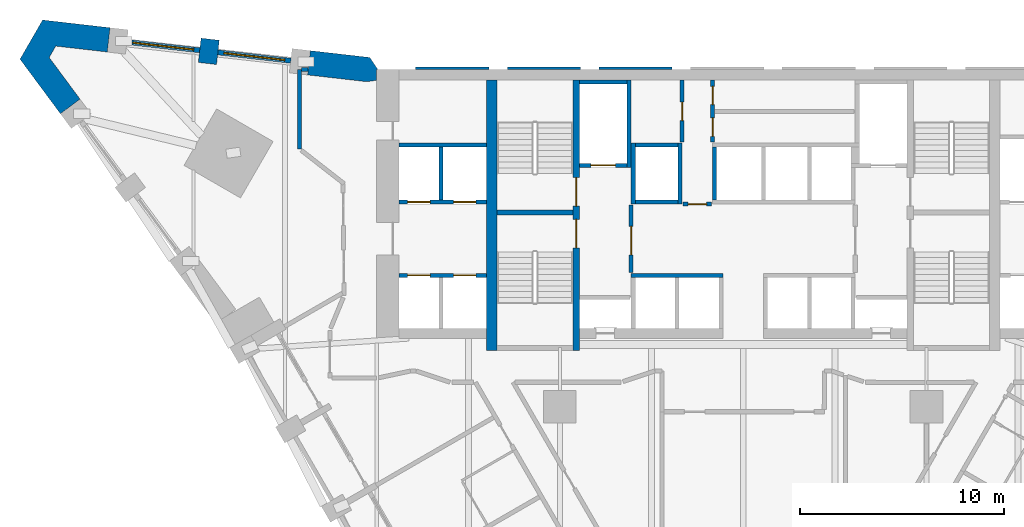
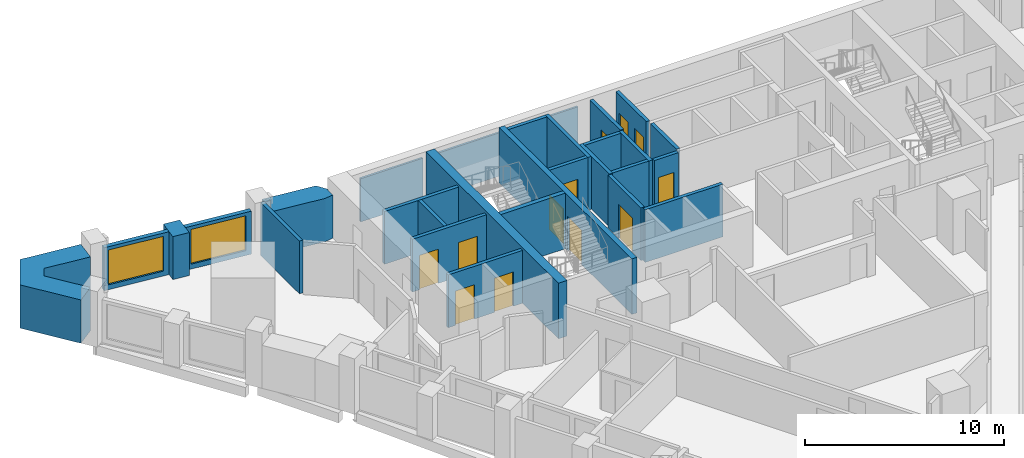
# One storey, part 6 of 10: 30 walls, 12 doors, 2 windows, 14 openings.
"""IFC4 building model written with IfcOpenShell, lengths in metres."""

from ifc_helpers import new_model, si_unit, direction, frame, frame_2d, origin, place, context, subcontext, project, spatial, polyline, rectangle, outline, extrude, material, layer, layer_set, type_object, element, fill, save


model = new_model("IFC4")

# Units and contexts
model_context = context("Model", 3, precision=1e-05, world=origin(), true_north=direction((0.0, 1.0)))
body_context = subcontext(model_context, "Body", "Model", "MODEL_VIEW")
ifc_project = project(units=[si_unit("LENGTHUNIT", "METRE"), si_unit("AREAUNIT", "SQUARE_METRE"), si_unit("VOLUMEUNIT", "CUBIC_METRE"), si_unit("PLANEANGLEUNIT", "RADIAN"), si_unit("MASSUNIT", "GRAM", prefix="KILO")], contexts=[model_context])

# Site, building, storey
site_placement = place(None, origin())
site = spatial("IfcSite", under=ifc_project, at=site_placement, CompositionType="ELEMENT")
building_placement = place(site_placement, origin())
building = spatial("IfcBuilding", under=site, at=building_placement, Name="Calabash Gate Tower", CompositionType="ELEMENT")
storey_placement = place(building_placement, frame((0.0, 0.0, 63.0)))
storey = spatial("IfcBuildingStorey", under=building, at=storey_placement, Name="L11", CompositionType="ELEMENT", Elevation=63.0)

# Walls
ifc_material_1 = material(Name="Terracotta brick masonry, exposed face", Category="masonry")
ifc_layer_1 = layer(ifc_material_1, 1.199951171875)
ifc_layer_set_1 = layer_set([ifc_layer_1], Name="Brick end wall 1200")
wall_type_1 = type_object("IfcWallType", Name="Brick end wall 1200", PredefinedType="SOLIDWALL", material=ifc_layer_set_1)
wall_1_placement = place(storey_placement, frame((-26.173095703125, 20.546142578125, 0.0), z_axis=(0.0, 0.0, 1.0), x_axis=(-0.113735952551, -0.993511013073, 0.0)))
element("IfcWall", 1, at=wall_1_placement, inside=storey, type_object=wall_type_1, Name="Brick pier S02 wedge5.1", PredefinedType="SOLIDWALL", context=body_context, shape_type="SweptSolid", body=[
    extrude(rectangle(XDim=1.199951171875, YDim=0.89990234375, at=frame_2d((0.60009765625, 0.0))), origin(), (0.0, 0.0, 1.0), 2.6298828125),
])
wall_2_placement = place(storey_placement, origin())
element("IfcWall", 2, at=wall_2_placement, inside=storey, type_object=wall_type_1, Name="Brick end wall S02 1", PredefinedType="SOLIDWALL", context=body_context, shape_type="SweptSolid", body=[
    extrude(outline(polyline([(-21.255126953125, 19.983154296875), (-21.39111328125, 18.790771484375), (-18.4716796875, 18.45654296875), (-18.0, 18.53173828125), (-18.0, 19.052490234375), (-17.9404296875, 19.052490234375), (-18.335205078125, 19.648681640625), (-21.255126953125, 19.983154296875)])), origin(), (0.0, 0.0, 1.0), 2.64990234375),
])
wall_3_placement = place(storey_placement, origin())
element("IfcWall", 3, at=wall_3_placement, inside=storey, type_object=wall_type_1, Name="Brick end wall S02 2", PredefinedType="SOLIDWALL", context=body_context, shape_type="SweptSolid", body=[
    extrude(outline(polyline([(-33.75634765625, 20.206787109375), (-31.227294921875, 19.917236328125), (-31.0908203125, 21.109375), (-34.40185546875, 21.48876953125), (-35.512451171875, 19.5654296875), (-33.5283203125, 16.887451171875), (-32.564208984375, 17.601806640625), (-34.07958984375, 19.647216796875), (-33.75634765625, 20.206787109375)])), origin(), (0.0, 0.0, 1.0), 2.64990234375),
])
ifc_material_2 = material(Name="Concrete C80/95", Category="concrete")
ifc_layer_2 = layer(ifc_material_2, 0.25)
ifc_layer_set_2 = layer_set([ifc_layer_2], Name="Core wall 250 Concrete C80/95")
wall_type_2 = type_object("IfcWallType", Name="Core wall 250 Concrete C80/95", PredefinedType="SHEAR", material=ifc_layer_set_2)
wall_4_placement = place(storey_placement, frame((-12.10009765625, 12.027587890625, 0.0), z_axis=(0.0, 0.0, 1.0), x_axis=(1.0, 0.0, 0.0)))
element("IfcWall", 4, at=wall_4_placement, inside=storey, type_object=wall_type_2, Name="Core wall Z1-MIDW L11", PredefinedType="SHEAR", context=body_context, shape_type="SweptSolid", body=[
    extrude(rectangle(XDim=3.75, YDim=0.25, at=frame_2d((1.875, 0.0))), origin(), (0.0, 0.0, 1.0), 3.39990234375),
])

# Wall, openings, doors
ifc_material_3 = material(Name="Concrete C80/95", Category="concrete")
ifc_layer_3 = layer(ifc_material_3, 0.300048828125)
ifc_layer_set_3 = layer_set([ifc_layer_3], Name="Core wall 300 Concrete C80/95")
wall_type_3 = type_object("IfcWallType", Name="Core wall 300 Concrete C80/95", PredefinedType="SHEAR", material=ifc_layer_set_3)
wall_5_placement = place(storey_placement, frame((-8.199951171875, 5.252685546875, 0.0), z_axis=(0.0, 0.0, 1.0), x_axis=(0.0, 1.0, 0.0)))
wall_5 = element("IfcWall", 5, at=wall_5_placement, inside=storey, type_object=wall_type_3, Name="Core wall Z1-PARTW L11", PredefinedType="SHEAR", context=body_context, shape_type="SweptSolid", body=[
    extrude(rectangle(XDim=13.2998046875, YDim=0.300048828125, at=frame_2d((6.64990234375, 0.0))), origin(), (0.0, 0.0, 1.0), 3.39990234375),
])
opening_1_placement = place(wall_5_placement, frame((7.10009765625, 0.0, 0.0)))
opening_1 = element("IfcOpeningElement", 6, at=opening_1_placement, cuts=wall_5, Name="Opening H2-013", PredefinedType="OPENING", context=body_context, shape_type="SweptSolid", body=[
    extrude(rectangle(XDim=1.39990234375, YDim=2.10009765625, at=frame_2d((0.699951171875, 1.050048828125))), frame((0.0, 0.159912109375, 0.0), z_axis=(0.0, -1.0, 0.0), x_axis=(1.0, 0.0, 0.0)), (0.0, 0.0, 1.0), 0.320068359375),
])
opening_2_placement = place(wall_5_placement, frame((5.050048828125, 0.0, 0.0)))
opening_2 = element("IfcOpeningElement", 7, at=opening_2_placement, cuts=wall_5, Name="Opening H2-014", PredefinedType="OPENING", context=body_context, shape_type="SweptSolid", body=[
    extrude(rectangle(XDim=1.39990234375, YDim=2.10009765625, at=frame_2d((0.699951171875, 1.050048828125))), frame((0.0, 0.159912109375, 0.0), z_axis=(0.0, -1.0, 0.0), x_axis=(1.0, 0.0, 0.0)), (0.0, 0.0, 1.0), 0.320068359375),
])
ifc_material_4 = material(Name="Steel fire door set with fire-resisting glazing", Category="steel")
door_type_1 = type_object("IfcDoorType", Name="Fire door D05 1400x2100 FD90", OperationType="NOTDEFINED", PredefinedType="DOOR", material=ifc_material_4)
door_1_placement = place(opening_1_placement, origin())
door_1 = element("IfcDoor", 8, at=door_1_placement, inside=storey, type_object=door_type_1, Name="Exit stair door ST1", OperationType="SINGLE_SWING_LEFT", OverallHeight=2.10009765625, OverallWidth=1.39990234375, PredefinedType="DOOR", context=body_context, shape_type="SweptSolid", body=[
    extrude(rectangle(XDim=1.39990234375, YDim=2.10009765625, at=frame_2d((0.699951171875, 1.050048828125))), frame((0.0, 0.02490234375, 0.0), z_axis=(0.0, -1.0, 0.0), x_axis=(1.0, 0.0, 0.0)), (0.0, 0.0, 1.0), 0.050048828125),
])
fill(opening_1, door_1)
door_2_placement = place(opening_2_placement, origin())
door_2 = element("IfcDoor", 9, at=door_2_placement, inside=storey, type_object=door_type_1, Name="Exit stair door ST2", OperationType="SINGLE_SWING_LEFT", OverallHeight=2.10009765625, OverallWidth=1.39990234375, PredefinedType="DOOR", context=body_context, shape_type="SweptSolid", body=[
    extrude(rectangle(XDim=1.39990234375, YDim=2.10009765625, at=frame_2d((0.699951171875, 1.050048828125))), frame((0.0, 0.02490234375, 0.0), z_axis=(0.0, -1.0, 0.0), x_axis=(1.0, 0.0, 0.0)), (0.0, 0.0, 1.0), 0.050048828125),
])
fill(opening_2, door_2)

# Walls
ifc_material_5 = material(Name="Concrete C80/95", Category="concrete")
ifc_layer_4 = layer(ifc_material_5, 0.5)
ifc_layer_set_4 = layer_set([ifc_layer_4], Name="Core wall 500 Concrete C80/95")
wall_type_4 = type_object("IfcWallType", Name="Core wall 500 Concrete C80/95", PredefinedType="SHEAR", material=ifc_layer_set_4)
wall_6_placement = place(storey_placement, frame((-12.35009765625, 5.252685546875, 0.0), z_axis=(0.0, 0.0, 1.0), x_axis=(0.0, 1.0, 0.0)))
element("IfcWall", 10, at=wall_6_placement, inside=storey, type_object=wall_type_4, Name="Core wall Z1-COLW L11", PredefinedType="SHEAR", context=body_context, shape_type="SweptSolid", body=[
    extrude(rectangle(XDim=13.2998046875, YDim=0.5, at=frame_2d((6.64990234375, 0.0))), origin(), (0.0, 0.0, 1.0), 3.39990234375),
])
ifc_material_6 = material(Name="Gypsum board on steel studs, mineral wool", Category="steel")
ifc_layer_5 = layer(ifc_material_6, 0.199951171875)
ifc_layer_set_5 = layer_set([ifc_layer_5], Name="Partition 200 gypsum board EI 60")
wall_type_5 = type_object("IfcWallType", Name="Partition 200 gypsum board EI 60", PredefinedType="PARTITIONING", material=ifc_layer_set_5)
wall_7_placement = place(storey_placement, frame((-21.7822265625, 19.052490234375, 0.0), z_axis=(0.0, 0.0, 1.0), x_axis=(0.0, -1.0, 0.0)))
element("IfcWall", 11, at=wall_7_placement, inside=storey, type_object=wall_type_5, Name="Partition", PredefinedType="PARTITIONING", context=body_context, shape_type="SweptSolid", body=[
    extrude(rectangle(XDim=3.900146484375, YDim=0.199951171875, at=frame_2d((1.9501953125, 0.0))), origin(), (0.0, 0.0, 1.0), 3.22998046875),
])
wall_8_placement = place(storey_placement, frame((-21.682373046875, 19.052490234375, 0.0), z_axis=(0.0, 0.0, 1.0), x_axis=(0.999999710853, 0.000760456054, 0.0)))
element("IfcWall", 12, at=wall_8_placement, inside=storey, type_object=wall_type_5, Name="Partition", PredefinedType="PARTITIONING", context=body_context, shape_type="SweptSolid", body=[
    extrude(rectangle(XDim=0.321044921875, YDim=0.199951171875, at=frame_2d((0.16064453125, 0.0))), origin(), (0.0, 0.0, 1.0), 3.22998046875),
])

# Wall, opening, window
ifc_material_7 = material(Name="Aluminium framed window wall with insulated spandrel", Category="aluminium")
ifc_layer_6 = layer(ifc_material_7, 0.25)
ifc_layer_set_6 = layer_set([ifc_layer_6], Name="Prow window wall 250")
wall_type_6 = type_object("IfcWallType", Name="Prow window wall 250", PredefinedType="ELEMENTEDWALL", material=ifc_layer_set_6)
wall_9_placement = place(storey_placement, frame((-22.217529296875, 19.4892578125, 0.0), z_axis=(0.0, 0.0, 1.0), x_axis=(-0.993504225498, 0.113795228013, 0.0)))
wall_9 = element("IfcWall", 13, at=wall_9_placement, inside=storey, type_object=wall_type_6, Name="Prow window wall S02 wedge5.1", PredefinedType="ELEMENTEDWALL", context=body_context, shape_type="SweptSolid", body=[
    extrude(rectangle(XDim=3.60009765625, YDim=0.25, at=frame_2d((1.800048828125, 0.0))), origin(), (0.0, 0.0, 1.0), 2.6298828125),
])
opening_3_placement = place(wall_9_placement, frame((0.300048828125, 0.0, 0.300048828125)))
opening_3 = element("IfcOpeningElement", 14, at=opening_3_placement, cuts=wall_9, Name="Opening WP1L-2130", PredefinedType="OPENING", context=body_context, shape_type="SweptSolid", body=[
    extrude(rectangle(XDim=3.0, YDim=2.1298828125, at=frame_2d((1.5, 1.06494140625))), frame((0.0, 0.135009765625, 0.0), z_axis=(0.0, -1.0, 0.0), x_axis=(1.0, 0.0, 0.0)), (0.0, 0.0, 1.0), 0.27001953125),
])
ifc_material_8 = material(Name="Anodised aluminium frame, bronze finish, impact-rated laminated clear glazing", Category="aluminium")
window_type = type_object("IfcWindowType", Name="Window WP1L 3000x2130", PartitioningType="DOUBLE_PANEL_VERTICAL", PredefinedType="WINDOW", material=ifc_material_8)
window_1_placement = place(opening_3_placement, origin())
window_1 = element("IfcWindow", 15, at=window_1_placement, inside=storey, type_object=window_type, Name="Prow window WP1L S02 wedge5.1", OverallHeight=2.1298828125, OverallWidth=3.0, PartitioningType="SINGLE_PANEL", PredefinedType="WINDOW", context=body_context, shape_type="SweptSolid", body=[
    extrude(rectangle(XDim=3.0, YDim=2.1298828125, at=frame_2d((1.5, 1.06494140625))), frame((0.0, 0.030029296875, 0.0), z_axis=(0.0, -1.0, 0.0), x_axis=(1.0, 0.0, 0.0)), (0.0, 0.0, 1.0), 0.06005859375),
])
fill(opening_3, window_1)

wall_10_placement = place(storey_placement, frame((-26.686279296875, 20.001220703125, 0.0), z_axis=(0.0, 0.0, 1.0), x_axis=(-0.993509390647, 0.113750123938, 0.0)))
wall_10 = element("IfcWall", 16, at=wall_10_placement, inside=storey, type_object=wall_type_6, Name="Prow window wall S02 wedge5.2", PredefinedType="ELEMENTEDWALL", context=body_context, shape_type="SweptSolid", body=[
    extrude(rectangle(XDim=3.552001953125, YDim=0.25, at=frame_2d((1.77587890625, 0.0))), origin(), (0.0, 0.0, 1.0), 2.6298828125),
])
opening_4_placement = place(wall_10_placement, frame((0.302001953125, 0.0, 0.300048828125)))
opening_4 = element("IfcOpeningElement", 17, at=opening_4_placement, cuts=wall_10, Name="Opening WP1L-2130", PredefinedType="OPENING", context=body_context, shape_type="SweptSolid", body=[
    extrude(rectangle(XDim=3.0, YDim=2.1298828125, at=frame_2d((1.5, 1.06494140625))), frame((0.0, 0.135009765625, 0.0), z_axis=(0.0, -1.0, 0.0), x_axis=(1.0, 0.0, 0.0)), (0.0, 0.0, 1.0), 0.27001953125),
])
window_2_placement = place(opening_4_placement, origin())
window_2 = element("IfcWindow", 18, at=window_2_placement, inside=storey, type_object=window_type, Name="Prow window WP1L S02 wedge5.2", OverallHeight=2.1298828125, OverallWidth=3.0, PartitioningType="SINGLE_PANEL", PredefinedType="WINDOW", context=body_context, shape_type="SweptSolid", body=[
    extrude(rectangle(XDim=3.0, YDim=2.1298828125, at=frame_2d((1.5, 1.06494140625))), frame((0.0, 0.030029296875, 0.0), z_axis=(0.0, -1.0, 0.0), x_axis=(1.0, 0.0, 0.0)), (0.0, 0.0, 1.0), 0.06005859375),
])
fill(opening_4, window_2)

# Wall, openings, doors
ifc_material_9 = material(Name="Concrete C40/50", Category="concrete")
ifc_layer_7 = layer(ifc_material_9, 0.199951171875)
ifc_layer_set_7 = layer_set([ifc_layer_7], Name="Shaft wall 200 Concrete C40/50")
wall_type_7 = type_object("IfcWallType", Name="Shaft wall 200 Concrete C40/50", PredefinedType="SOLIDWALL", material=ifc_layer_set_7)
wall_11_placement = place(storey_placement, frame((-16.89990234375, 8.95263671875, 0.0), z_axis=(0.0, 0.0, 1.0), x_axis=(1.0, 0.0, 0.0)))
wall_11 = element("IfcWall", 19, at=wall_11_placement, inside=storey, type_object=wall_type_7, Name="Shaft wall", PredefinedType="SOLIDWALL", context=body_context, shape_type="SweptSolid", body=[
    extrude(rectangle(XDim=4.2998046875, YDim=0.199951171875, at=frame_2d((2.14990234375, 0.0))), origin(), (0.0, 0.0, 1.0), 3.22998046875),
])
opening_5_placement = place(wall_11_placement, frame((2.675048828125, 0.0, 0.0)))
opening_5 = element("IfcOpeningElement", 20, at=opening_5_placement, cuts=wall_11, Name="Opening LD-LR1", PredefinedType="OPENING", context=body_context, shape_type="SweptSolid", body=[
    extrude(rectangle(XDim=1.10009765625, YDim=2.10009765625, at=frame_2d((0.550048828125, 1.050048828125))), frame((0.0, 0.10986328125, 0.0), z_axis=(0.0, -1.0, 0.0), x_axis=(1.0, 0.0, 0.0)), (0.0, 0.0, 1.0), 0.219970703125),
])
opening_6_placement = place(wall_11_placement, frame((0.425048828125, 0.0, 0.0)))
opening_6 = element("IfcOpeningElement", 21, at=opening_6_placement, cuts=wall_11, Name="Opening LD-LR2", PredefinedType="OPENING", context=body_context, shape_type="SweptSolid", body=[
    extrude(rectangle(XDim=1.10009765625, YDim=2.10009765625, at=frame_2d((0.550048828125, 1.050048828125))), frame((0.0, 0.10986328125, 0.0), z_axis=(0.0, -1.0, 0.0), x_axis=(1.0, 0.0, 0.0)), (0.0, 0.0, 1.0), 0.219970703125),
])
ifc_material_10 = material(Name="Stainless steel sliding door leaves", Category="steel")
door_type_2 = type_object("IfcDoorType", Name="Lift landing door LS1 1100x2100 FD90", OperationType="DOUBLE_DOOR_SLIDING", PredefinedType="DOOR", material=ifc_material_10)
door_3_placement = place(opening_5_placement, origin())
door_3 = element("IfcDoor", 22, at=door_3_placement, inside=storey, type_object=door_type_2, Name="Lift landing door LR1", OperationType="DOUBLE_DOOR_SLIDING", OverallHeight=2.10009765625, OverallWidth=1.10009765625, PredefinedType="DOOR", context=body_context, shape_type="SweptSolid", body=[
    extrude(rectangle(XDim=1.10009765625, YDim=2.10009765625, at=frame_2d((0.550048828125, 1.050048828125))), frame((0.0, 0.02490234375, 0.0), z_axis=(0.0, -1.0, 0.0), x_axis=(1.0, 0.0, 0.0)), (0.0, 0.0, 1.0), 0.050048828125),
])
fill(opening_5, door_3)
door_4_placement = place(opening_6_placement, origin())
door_4 = element("IfcDoor", 23, at=door_4_placement, inside=storey, type_object=door_type_2, Name="Lift landing door LR2", OperationType="DOUBLE_DOOR_SLIDING", OverallHeight=2.10009765625, OverallWidth=1.10009765625, PredefinedType="DOOR", context=body_context, shape_type="SweptSolid", body=[
    extrude(rectangle(XDim=1.10009765625, YDim=2.10009765625, at=frame_2d((0.550048828125, 1.050048828125))), frame((0.0, 0.02490234375, 0.0), z_axis=(0.0, -1.0, 0.0), x_axis=(1.0, 0.0, 0.0)), (0.0, 0.0, 1.0), 0.050048828125),
])
fill(opening_6, door_4)

# Wall
wall_12_placement = place(storey_placement, frame((-5.5, 8.95263671875, 0.0), z_axis=(0.0, 0.0, 1.0), x_axis=(1.0, 0.0, 0.0)))
element("IfcWall", 24, at=wall_12_placement, inside=storey, type_object=wall_type_7, Name="Shaft wall", PredefinedType="SOLIDWALL", context=body_context, shape_type="SweptSolid", body=[
    extrude(rectangle(XDim=4.5, YDim=0.199951171875, at=frame_2d((2.25, 0.0))), origin(), (0.0, 0.0, 1.0), 3.22998046875),
])

# Wall, opening, door
wall_13_placement = place(storey_placement, frame((-5.5, 9.1025390625, 0.0), z_axis=(0.0, 0.0, 1.0), x_axis=(0.0, 1.0, 0.0)))
wall_13 = element("IfcWall", 25, at=wall_13_placement, inside=storey, type_object=wall_type_7, Name="Shaft wall", PredefinedType="SOLIDWALL", context=body_context, shape_type="SweptSolid", body=[
    extrude(rectangle(XDim=3.300048828125, YDim=0.199951171875, at=frame_2d((1.64990234375, 0.0))), origin(), (0.0, 0.0, 1.0), 3.22998046875),
])
opening_7_placement = place(wall_13_placement, frame((0.85009765625, 0.0, 0.0)))
opening_7 = element("IfcOpeningElement", 26, at=opening_7_placement, cuts=wall_13, Name="Opening H2-007", PredefinedType="OPENING", context=body_context, shape_type="SweptSolid", body=[
    extrude(rectangle(XDim=1.39990234375, YDim=2.10009765625, at=frame_2d((0.699951171875, 1.050048828125))), frame((0.0, 0.10986328125, 0.0), z_axis=(0.0, -1.0, 0.0), x_axis=(1.0, 0.0, 0.0)), (0.0, 0.0, 1.0), 0.219970703125),
])
door_5_placement = place(opening_7_placement, origin())
door_5 = element("IfcDoor", 27, at=door_5_placement, inside=storey, type_object=door_type_1, Name="Firefighting Lobby W door", OperationType="SINGLE_SWING_RIGHT", OverallHeight=2.10009765625, OverallWidth=1.39990234375, PredefinedType="DOOR", context=body_context, shape_type="SweptSolid", body=[
    extrude(rectangle(XDim=1.39990234375, YDim=2.10009765625, at=frame_2d((0.699951171875, 1.050048828125))), frame((0.0, 0.02490234375, 0.0), z_axis=(0.0, -1.0, 0.0), x_axis=(1.0, 0.0, 0.0)), (0.0, 0.0, 1.0), 0.050048828125),
])
fill(opening_7, door_5)

wall_14_placement = place(storey_placement, frame((-2.949951171875, 12.45263671875, 0.0), z_axis=(0.0, 0.0, 1.0), x_axis=(1.0, 0.0, 0.0)))
wall_14 = element("IfcWall", 28, at=wall_14_placement, inside=storey, type_object=wall_type_7, Name="Shaft wall", PredefinedType="SOLIDWALL", context=body_context, shape_type="SweptSolid", body=[
    extrude(rectangle(XDim=1.39990234375, YDim=0.199951171875, at=frame_2d((0.699951171875, 0.0))), origin(), (0.0, 0.0, 1.0), 3.22998046875),
])
opening_8_placement = place(wall_14_placement, frame((0.25, 0.0, 0.0)))
opening_8 = element("IfcOpeningElement", 29, at=opening_8_placement, cuts=wall_14, Name="Opening H2-005", PredefinedType="OPENING", context=body_context, shape_type="SweptSolid", body=[
    extrude(rectangle(XDim=0.89990234375, YDim=2.10009765625, at=frame_2d((0.449951171875, 1.050048828125))), frame((0.0, 0.10986328125, 0.0), z_axis=(0.0, -1.0, 0.0), x_axis=(1.0, 0.0, 0.0)), (0.0, 0.0, 1.0), 0.219970703125),
])
ifc_material_11 = material(Name="Steel fire door set with fire-resisting glazing", Category="steel")
door_type_3 = type_object("IfcDoorType", Name="Fire door D06 900x2100 FD60", OperationType="NOTDEFINED", PredefinedType="DOOR", material=ifc_material_11)
door_6_placement = place(opening_8_placement, origin())
door_6 = element("IfcDoor", 30, at=door_6_placement, inside=storey, type_object=door_type_3, Name="Service Corridor door", OperationType="SINGLE_SWING_RIGHT", OverallHeight=2.10009765625, OverallWidth=0.89990234375, PredefinedType="DOOR", context=body_context, shape_type="SweptSolid", body=[
    extrude(rectangle(XDim=0.89990234375, YDim=2.10009765625, at=frame_2d((0.449951171875, 1.050048828125))), frame((0.0, 0.02490234375, 0.0), z_axis=(0.0, -1.0, 0.0), x_axis=(1.0, 0.0, 0.0)), (0.0, 0.0, 1.0), 0.050048828125),
])
fill(opening_8, door_6)

# Wall, openings, doors
wall_15_placement = place(storey_placement, frame((-16.89990234375, 12.552490234375, 0.0), z_axis=(0.0, 0.0, 1.0), x_axis=(1.0, 0.0, 0.0)))
wall_15 = element("IfcWall", 31, at=wall_15_placement, inside=storey, type_object=wall_type_7, Name="Shaft wall", PredefinedType="SOLIDWALL", context=body_context, shape_type="SweptSolid", body=[
    extrude(rectangle(XDim=4.2998046875, YDim=0.199951171875, at=frame_2d((2.14990234375, 0.0))), origin(), (0.0, 0.0, 1.0), 3.22998046875),
])
opening_9_placement = place(wall_15_placement, frame((2.675048828125, 0.0, 0.0)))
opening_9 = element("IfcOpeningElement", 32, at=opening_9_placement, cuts=wall_15, Name="Opening LD-LR3", PredefinedType="OPENING", context=body_context, shape_type="SweptSolid", body=[
    extrude(rectangle(XDim=1.10009765625, YDim=2.10009765625, at=frame_2d((0.550048828125, 1.050048828125))), frame((0.0, 0.10986328125, 0.0), z_axis=(0.0, -1.0, 0.0), x_axis=(1.0, 0.0, 0.0)), (0.0, 0.0, 1.0), 0.219970703125),
])
opening_10_placement = place(wall_15_placement, frame((0.425048828125, 0.0, 0.0)))
opening_10 = element("IfcOpeningElement", 33, at=opening_10_placement, cuts=wall_15, Name="Opening LD-LR4", PredefinedType="OPENING", context=body_context, shape_type="SweptSolid", body=[
    extrude(rectangle(XDim=1.10009765625, YDim=2.10009765625, at=frame_2d((0.550048828125, 1.050048828125))), frame((0.0, 0.10986328125, 0.0), z_axis=(0.0, -1.0, 0.0), x_axis=(1.0, 0.0, 0.0)), (0.0, 0.0, 1.0), 0.219970703125),
])
door_7_placement = place(opening_9_placement, origin())
door_7 = element("IfcDoor", 34, at=door_7_placement, inside=storey, type_object=door_type_2, Name="Lift landing door LR3", OperationType="DOUBLE_DOOR_SLIDING", OverallHeight=2.10009765625, OverallWidth=1.10009765625, PredefinedType="DOOR", context=body_context, shape_type="SweptSolid", body=[
    extrude(rectangle(XDim=1.10009765625, YDim=2.10009765625, at=frame_2d((0.550048828125, 1.050048828125))), frame((0.0, 0.02490234375, 0.0), z_axis=(0.0, -1.0, 0.0), x_axis=(1.0, 0.0, 0.0)), (0.0, 0.0, 1.0), 0.050048828125),
])
fill(opening_9, door_7)
door_8_placement = place(opening_10_placement, origin())
door_8 = element("IfcDoor", 35, at=door_8_placement, inside=storey, type_object=door_type_2, Name="Lift landing door LR4", OperationType="DOUBLE_DOOR_SLIDING", OverallHeight=2.10009765625, OverallWidth=1.10009765625, PredefinedType="DOOR", context=body_context, shape_type="SweptSolid", body=[
    extrude(rectangle(XDim=1.10009765625, YDim=2.10009765625, at=frame_2d((0.550048828125, 1.050048828125))), frame((0.0, 0.02490234375, 0.0), z_axis=(0.0, -1.0, 0.0), x_axis=(1.0, 0.0, 0.0)), (0.0, 0.0, 1.0), 0.050048828125),
])
fill(opening_10, door_8)

# Walls
wall_16_placement = place(storey_placement, frame((-5.39990234375, 12.45263671875, 0.0), z_axis=(0.0, 0.0, 1.0), x_axis=(0.0, 1.0, 0.0)))
element("IfcWall", 36, at=wall_16_placement, inside=storey, type_object=wall_type_7, Name="Shaft wall", PredefinedType="SOLIDWALL", context=body_context, shape_type="SweptSolid", body=[
    extrude(rectangle(XDim=3.0, YDim=0.199951171875, at=frame_2d((1.5, 0.0))), origin(), (0.0, 0.0, 1.0), 3.22998046875),
])
wall_17_placement = place(storey_placement, frame((-5.300048828125, 12.552490234375, 0.0), z_axis=(0.0, 0.0, 1.0), x_axis=(1.0, 0.0, 0.0)))
element("IfcWall", 37, at=wall_17_placement, inside=storey, type_object=wall_type_7, Name="Shaft wall", PredefinedType="SOLIDWALL", context=body_context, shape_type="SweptSolid", body=[
    extrude(rectangle(XDim=2.10009765625, YDim=0.199951171875, at=frame_2d((1.050048828125, 0.0))), origin(), (0.0, 0.0, 1.0), 3.22998046875),
])
wall_18_placement = place(storey_placement, frame((-3.10009765625, 12.45263671875, 0.0), z_axis=(0.0, 0.0, 1.0), x_axis=(0.0, 1.0, 0.0)))
element("IfcWall", 38, at=wall_18_placement, inside=storey, type_object=wall_type_7, Name="Shaft wall", PredefinedType="SOLIDWALL", context=body_context, shape_type="SweptSolid", body=[
    extrude(rectangle(XDim=3.0, YDim=0.199951171875, at=frame_2d((1.5, 0.0))), origin(), (0.0, 0.0, 1.0), 3.22998046875),
])
for number, where, z_axis, x_axis, name in (
    (39, (-14.85009765625, 12.652587890625, 0.0), (0.0, 0.0, 1.0), (0.0, 1.0, 0.0), "Shaft wall"),
    (40, (-1.39990234375, 12.652587890625, 0.0), (0.0, 0.0, 1.0), (0.0, 1.0, 0.0), "Shaft wall"),
):
    element("IfcWall", number, at=place(storey_placement, frame(where, z_axis=z_axis, x_axis=x_axis)), inside=storey, type_object=wall_type_7, Name=name, PredefinedType="SOLIDWALL", context=body_context, shape_type="SweptSolid", body=[
        extrude(rectangle(XDim=2.60009765625, YDim=0.199951171875, at=frame_2d((1.300048828125, 0.0))), origin(), (0.0, 0.0, 1.0), 3.22998046875),
    ])

# Wall, opening, door
wall_19_placement = place(storey_placement, frame((-8.050048828125, 14.3525390625, 0.0), z_axis=(0.0, 0.0, 1.0), x_axis=(1.0, 0.0, 0.0)))
wall_19 = element("IfcWall", 41, at=wall_19_placement, inside=storey, type_object=wall_type_7, Name="Shaft wall", PredefinedType="SOLIDWALL", context=body_context, shape_type="SweptSolid", body=[
    extrude(rectangle(XDim=2.35009765625, YDim=0.199951171875, at=frame_2d((1.175048828125, 0.0))), origin(), (0.0, 0.0, 1.0), 3.22998046875),
])
opening_11_placement = place(wall_19_placement, frame((0.574951171875, 0.0, 0.0)))
opening_11 = element("IfcOpeningElement", 42, at=opening_11_placement, cuts=wall_19, Name="Opening LD-FF1", PredefinedType="OPENING", context=body_context, shape_type="SweptSolid", body=[
    extrude(rectangle(XDim=1.199951171875, YDim=2.10009765625, at=frame_2d((0.60009765625, 1.050048828125))), frame((0.0, 0.10986328125, 0.0), z_axis=(0.0, -1.0, 0.0), x_axis=(1.0, 0.0, 0.0)), (0.0, 0.0, 1.0), 0.219970703125),
])
ifc_material_12 = material(Name="Stainless steel sliding door leaves", Category="steel")
door_type_4 = type_object("IfcDoorType", Name="Lift landing door LS3 1200x2100 FD90", OperationType="DOUBLE_DOOR_SLIDING", PredefinedType="DOOR", material=ifc_material_12)
door_9_placement = place(opening_11_placement, origin())
door_9 = element("IfcDoor", 43, at=door_9_placement, inside=storey, type_object=door_type_4, Name="Lift landing door FF1", OperationType="DOUBLE_DOOR_SLIDING", OverallHeight=2.10009765625, OverallWidth=1.199951171875, PredefinedType="DOOR", context=body_context, shape_type="SweptSolid", body=[
    extrude(rectangle(XDim=1.199951171875, YDim=2.10009765625, at=frame_2d((0.60009765625, 1.050048828125))), frame((0.0, 0.02490234375, 0.0), z_axis=(0.0, -1.0, 0.0), x_axis=(1.0, 0.0, 0.0)), (0.0, 0.0, 1.0), 0.050048828125),
])
fill(opening_11, door_9)

# Walls
for number, where, z_axis, x_axis, name in (
    (44, (-5.60009765625, 14.252685546875, 0.0), (0.0, 0.0, 1.0), (0.0, 1.0, 0.0), "Shaft wall"),
    (45, (-16.89990234375, 15.3525390625, 0.0), (0.0, 0.0, 1.0), (1.0, 0.0, 0.0), "Shaft wall"),
):
    element("IfcWall", number, at=place(storey_placement, frame(where, z_axis=z_axis, x_axis=x_axis)), inside=storey, type_object=wall_type_7, Name=name, PredefinedType="SOLIDWALL", context=body_context, shape_type="SweptSolid", body=[
        extrude(rectangle(XDim=4.2998046875, YDim=0.199951171875, at=frame_2d((2.14990234375, 0.0))), origin(), (0.0, 0.0, 1.0), 3.22998046875),
    ])
wall_20_placement = place(storey_placement, frame((-5.300048828125, 15.3525390625, 0.0), z_axis=(0.0, 0.0, 1.0), x_axis=(1.0, 0.0, 0.0)))
element("IfcWall", 46, at=wall_20_placement, inside=storey, type_object=wall_type_7, Name="Shaft wall", PredefinedType="SOLIDWALL", context=body_context, shape_type="SweptSolid", body=[
    extrude(rectangle(XDim=2.10009765625, YDim=0.199951171875, at=frame_2d((1.050048828125, 0.0))), origin(), (0.0, 0.0, 1.0), 3.22998046875),
])

# Wall, opening, door
wall_21_placement = place(storey_placement, frame((-3.0, 15.502685546875, 0.0), z_axis=(0.0, 0.0, 1.0), x_axis=(0.0, 1.0, 0.0)))
wall_21 = element("IfcWall", 47, at=wall_21_placement, inside=storey, type_object=wall_type_7, Name="Shaft wall", PredefinedType="SOLIDWALL", context=body_context, shape_type="SweptSolid", body=[
    extrude(rectangle(XDim=3.0498046875, YDim=0.199951171875, at=frame_2d((1.52490234375, 0.0))), origin(), (0.0, 0.0, 1.0), 3.22998046875),
])
opening_12_placement = place(wall_21_placement, frame((1.050048828125, 0.0, 0.0)))
opening_12 = element("IfcOpeningElement", 48, at=opening_12_placement, cuts=wall_21, Name="Opening H2-008", PredefinedType="OPENING", context=body_context, shape_type="SweptSolid", body=[
    extrude(rectangle(XDim=0.89990234375, YDim=2.10009765625, at=frame_2d((0.449951171875, 1.050048828125))), frame((0.0, 0.10986328125, 0.0), z_axis=(0.0, -1.0, 0.0), x_axis=(1.0, 0.0, 0.0)), (0.0, 0.0, 1.0), 0.219970703125),
])
door_10_placement = place(opening_12_placement, origin())
door_10 = element("IfcDoor", 49, at=door_10_placement, inside=storey, type_object=door_type_3, Name="Linen Store door", OperationType="SINGLE_SWING_LEFT", OverallHeight=2.10009765625, OverallWidth=0.89990234375, PredefinedType="DOOR", context=body_context, shape_type="SweptSolid", body=[
    extrude(rectangle(XDim=0.89990234375, YDim=2.10009765625, at=frame_2d((0.449951171875, 1.050048828125))), frame((0.0, 0.02490234375, 0.0), z_axis=(0.0, -1.0, 0.0), x_axis=(1.0, 0.0, 0.0)), (0.0, 0.0, 1.0), 0.050048828125),
])
fill(opening_12, door_10)

# Wall, openings, doors
wall_22_placement = place(storey_placement, frame((-1.5, 15.502685546875, 0.0), z_axis=(0.0, 0.0, 1.0), x_axis=(0.0, 1.0, 0.0)))
wall_22 = element("IfcWall", 50, at=wall_22_placement, inside=storey, type_object=wall_type_7, Name="Shaft wall", PredefinedType="SOLIDWALL", context=body_context, shape_type="SweptSolid", body=[
    extrude(rectangle(XDim=3.0498046875, YDim=0.199951171875, at=frame_2d((1.52490234375, 0.0))), origin(), (0.0, 0.0, 1.0), 3.22998046875),
])
opening_13_placement = place(wall_22_placement, frame((0.27490234375, 0.0, 0.0)))
opening_13 = element("IfcOpeningElement", 51, at=opening_13_placement, cuts=wall_22, Name="Opening H2-009", PredefinedType="OPENING", context=body_context, shape_type="SweptSolid", body=[
    extrude(rectangle(XDim=0.89990234375, YDim=2.10009765625, at=frame_2d((0.449951171875, 1.050048828125))), frame((0.0, 0.10986328125, 0.0), z_axis=(0.0, -1.0, 0.0), x_axis=(1.0, 0.0, 0.0)), (0.0, 0.0, 1.0), 0.219970703125),
])
opening_14_placement = place(wall_22_placement, frame((1.824951171875, 0.0, 0.0)))
opening_14 = element("IfcOpeningElement", 52, at=opening_14_placement, cuts=wall_22, Name="Opening H2-010", PredefinedType="OPENING", context=body_context, shape_type="SweptSolid", body=[
    extrude(rectangle(XDim=0.89990234375, YDim=2.10009765625, at=frame_2d((0.449951171875, 1.050048828125))), frame((0.0, 0.10986328125, 0.0), z_axis=(0.0, -1.0, 0.0), x_axis=(1.0, 0.0, 0.0)), (0.0, 0.0, 1.0), 0.219970703125),
])
door_11_placement = place(opening_13_placement, origin())
door_11 = element("IfcDoor", 53, at=door_11_placement, inside=storey, type_object=door_type_3, Name="Ice and Vending door", OperationType="SINGLE_SWING_LEFT", OverallHeight=2.10009765625, OverallWidth=0.89990234375, PredefinedType="DOOR", context=body_context, shape_type="SweptSolid", body=[
    extrude(rectangle(XDim=0.89990234375, YDim=2.10009765625, at=frame_2d((0.449951171875, 1.050048828125))), frame((0.0, 0.02490234375, 0.0), z_axis=(0.0, -1.0, 0.0), x_axis=(1.0, 0.0, 0.0)), (0.0, 0.0, 1.0), 0.050048828125),
])
fill(opening_13, door_11)
door_12_placement = place(opening_14_placement, origin())
door_12 = element("IfcDoor", 54, at=door_12_placement, inside=storey, type_object=door_type_3, Name="Cleaner's Store door", OperationType="SINGLE_SWING_LEFT", OverallHeight=2.10009765625, OverallWidth=0.89990234375, PredefinedType="DOOR", context=body_context, shape_type="SweptSolid", body=[
    extrude(rectangle(XDim=0.89990234375, YDim=2.10009765625, at=frame_2d((0.449951171875, 1.050048828125))), frame((0.0, 0.02490234375, 0.0), z_axis=(0.0, -1.0, 0.0), x_axis=(1.0, 0.0, 0.0)), (0.0, 0.0, 1.0), 0.050048828125),
])
fill(opening_14, door_12)

# Walls
wall_23_placement = place(storey_placement, frame((-8.050048828125, 18.45263671875, 0.0), z_axis=(0.0, 0.0, 1.0), x_axis=(1.0, 0.0, 0.0)))
element("IfcWall", 55, at=wall_23_placement, inside=storey, type_object=wall_type_7, Name="Shaft wall", PredefinedType="SOLIDWALL", context=body_context, shape_type="SweptSolid", body=[
    extrude(rectangle(XDim=2.35009765625, YDim=0.199951171875, at=frame_2d((1.175048828125, 0.0))), origin(), (0.0, 0.0, 1.0), 3.22998046875),
])
ifc_material_13 = material(Name="Terracotta brick masonry, perforated", Category="masonry")
ifc_layer_8 = layer(ifc_material_13, 0.1201171875)
ifc_layer_set_8 = layer_set([ifc_layer_8], Name="Terracotta jaali cladding B 120")
wall_type_8 = type_object("IfcWallType", Name="Terracotta jaali cladding B 120", PredefinedType="SOLIDWALL", material=ifc_layer_set_8)
wall_24_placement = place(storey_placement, origin())
element("IfcWall", 56, at=wall_24_placement, inside=storey, type_object=wall_type_8, Name="Jaali cladding S02 N4.7", PredefinedType="SOLIDWALL", context=body_context, shape_type="SweptSolid", body=[
    extrude(outline(polyline([(-7.086181640625, 19.172607421875), (-7.086181640625, 19.052490234375), (-3.486083984375, 19.052490234375), (-3.486083984375, 19.172607421875), (-7.086181640625, 19.172607421875)])), origin(), (0.0, 0.0, 1.0), 2.64990234375),
])
wall_25_placement = place(storey_placement, origin())
element("IfcWall", 57, at=wall_25_placement, inside=storey, type_object=wall_type_8, Name="Jaali cladding S02 N4.9", PredefinedType="SOLIDWALL", context=body_context, shape_type="SweptSolid", body=[
    extrude(outline(polyline([(-16.086181640625, 19.172607421875), (-16.086181640625, 19.052490234375), (-12.486083984375, 19.052490234375), (-12.486083984375, 19.172607421875), (-16.086181640625, 19.172607421875)])), origin(), (0.0, 0.0, 1.0), 2.64990234375),
])
ifc_material_14 = material(Name="Terracotta louvre blades in an aluminium frame", Category="masonry")
ifc_layer_9 = layer(ifc_material_14, 0.1201171875)
ifc_layer_set_9 = layer_set([ifc_layer_9], Name="Terracotta vent louvre cladding 120")
wall_type_9 = type_object("IfcWallType", Name="Terracotta vent louvre cladding 120", PredefinedType="ELEMENTEDWALL", material=ifc_layer_set_9)
wall_26_placement = place(storey_placement, origin())
element("IfcWall", 58, at=wall_26_placement, inside=storey, type_object=wall_type_9, Name="Vent louvre cladding S02 N4.8", PredefinedType="ELEMENTEDWALL", context=body_context, shape_type="SweptSolid", body=[
    extrude(outline(polyline([(-11.586181640625, 19.172607421875), (-11.586181640625, 19.052490234375), (-7.986083984375, 19.052490234375), (-7.986083984375, 19.172607421875), (-11.586181640625, 19.172607421875)])), origin(), (0.0, 0.0, 1.0), 2.64990234375),
])

save(model, "model.ifc")
